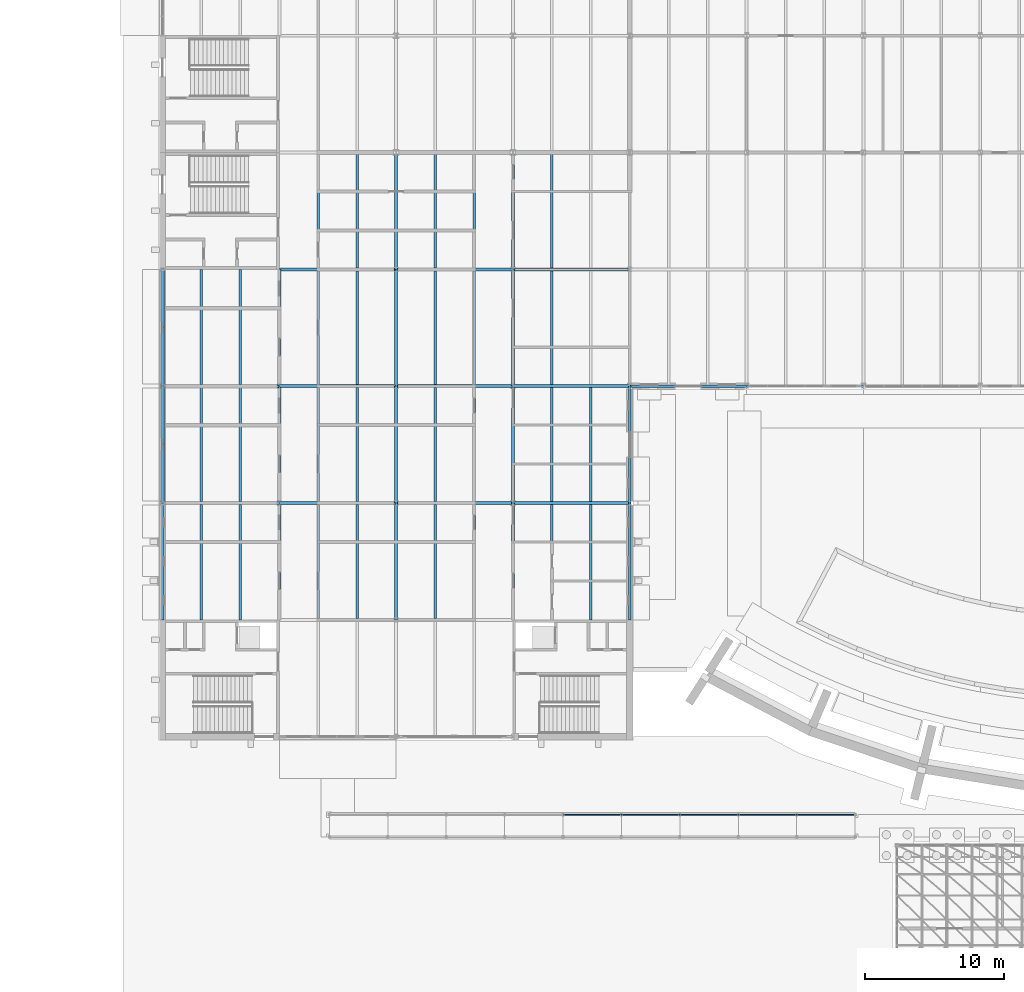
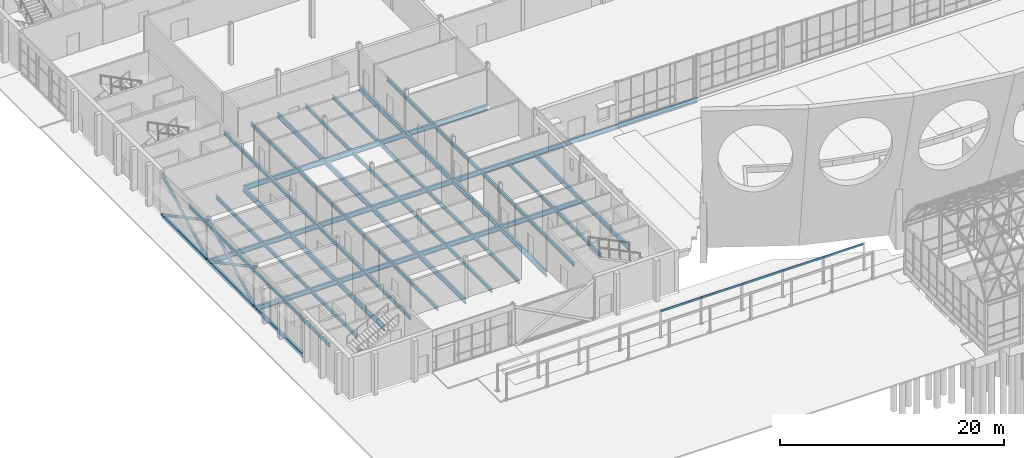
# One storey, part 28 of 116: 62 beams, 6 members.
"""IFC4 building model written with IfcOpenShell, lengths in metres."""

from ifc_helpers import new_model, si_unit, direction, frame, origin, origin_2d, place, context, subcontext, project, spatial, hollow_rectangle, hollow_circle, i_section, extrude, material, material_profile, profile_set, type_object, element, save


model = new_model("IFC4")

# Units and contexts
model_context = context("Model", 3, precision=1e-05, world=origin(), true_north=direction((0.0, 1.0)))
body_context = subcontext(model_context, "Body", "Model", "MODEL_VIEW")
ifc_project = project(units=[si_unit("LENGTHUNIT", "METRE"), si_unit("AREAUNIT", "SQUARE_METRE"), si_unit("VOLUMEUNIT", "CUBIC_METRE"), si_unit("PLANEANGLEUNIT", "RADIAN"), si_unit("MASSUNIT", "GRAM", prefix="KILO")], contexts=[model_context])

# Site, building, storey
site_placement = place(None, origin())
site = spatial("IfcSite", under=ifc_project, at=site_placement, CompositionType="ELEMENT")
building_placement = place(site_placement, origin())
building = spatial("IfcBuilding", under=site, at=building_placement, Name="Ardhachandra Cancer Care Centre", CompositionType="ELEMENT")
storey_placement = place(building_placement, origin())
storey = spatial("IfcBuildingStorey", under=building, at=storey_placement, Name="L00", CompositionType="ELEMENT", Elevation=0.0)

# Beams
ifc_material_1 = material(Name="Steel E350 (IS 2062)", Category="steel")
ifc_material_profile_1 = material_profile(ifc_material_1, i_section(OverallWidth=0.179931640625, OverallDepth=0.39990234375, WebThickness=0.008544921875, FlangeThickness=0.013427734375, FilletRadius=0.02099609375, at=origin_2d()), Name="NPB 400x180x66.30")
ifc_profile_set_1 = profile_set([ifc_material_profile_1], Name="Steel E350 (IS 2062)")
beam_type_1 = type_object("IfcBeamType", Name="Beam NPB 400x180x66.30", PredefinedType="BEAM", material=ifc_profile_set_1)
beam_1_placement = place(storey_placement, frame((13.60009765625, 37.800048828125, -0.35009765625), z_axis=(0.0, 1.0, 0.0), x_axis=(-1.0, 0.0, 0.0)))
element("IfcBeam", 1, at=beam_1_placement, inside=storey, type_object=beam_type_1, Name="Secondary D1-E1@2800", PredefinedType="BEAM", context=body_context, shape_type="SweptSolid", body=[
    extrude(i_section(OverallWidth=0.179931640625, OverallDepth=0.39990234375, WebThickness=0.008544921875, FlangeThickness=0.013427734375, FilletRadius=0.02099609375, at=origin_2d()), origin(), (0.0, 0.0, 1.0), 8.294921875),
])
beam_2_placement = place(storey_placement, frame((13.60009765625, 46.304931640625, -0.35009765625), z_axis=(0.0, 1.0, 0.0), x_axis=(-1.0, 0.0, 0.0)))
element("IfcBeam", 2, at=beam_2_placement, inside=storey, type_object=beam_type_1, Name="Secondary E1-F1@2800", PredefinedType="BEAM", context=body_context, shape_type="SweptSolid", body=[
    extrude(i_section(OverallWidth=0.179931640625, OverallDepth=0.39990234375, WebThickness=0.008544921875, FlangeThickness=0.013427734375, FilletRadius=0.02099609375, at=origin_2d()), origin(), (0.0, 0.0, 1.0), 8.190185546875),
])
for number, where, z_axis, x_axis, name in (
    (3, (13.60009765625, 54.705078125, -0.35009765625), (0.0, 1.0, 0.0), (-1.0, 0.0, 0.0), "Secondary F1-G1@2800"),
    (4, (16.39990234375, 37.800048828125, -0.35009765625), (0.0, 1.0, 0.0), (-1.0, 0.0, 0.0), "Secondary D1-E1@5600"),
):
    element("IfcBeam", number, at=place(storey_placement, frame(where, z_axis=z_axis, x_axis=x_axis)), inside=storey, type_object=beam_type_1, Name=name, PredefinedType="BEAM", context=body_context, shape_type="SweptSolid", body=[
        extrude(i_section(OverallWidth=0.179931640625, OverallDepth=0.39990234375, WebThickness=0.008544921875, FlangeThickness=0.013427734375, FilletRadius=0.02099609375, at=origin_2d()), origin(), (0.0, 0.0, 1.0), 8.294921875),
    ])
beam_3_placement = place(storey_placement, frame((16.39990234375, 46.304931640625, -0.35009765625), z_axis=(0.0, 1.0, 0.0), x_axis=(-1.0, 0.0, 0.0)))
element("IfcBeam", 5, at=beam_3_placement, inside=storey, type_object=beam_type_1, Name="Secondary E1-F1@5600", PredefinedType="BEAM", context=body_context, shape_type="SweptSolid", body=[
    extrude(i_section(OverallWidth=0.179931640625, OverallDepth=0.39990234375, WebThickness=0.008544921875, FlangeThickness=0.013427734375, FilletRadius=0.02099609375, at=origin_2d()), origin(), (0.0, 0.0, 1.0), 8.190185546875),
])
beam_4_placement = place(storey_placement, frame((16.39990234375, 54.705078125, -0.35009765625), z_axis=(0.0, 1.0, 0.0), x_axis=(-1.0, 0.0, 0.0)))
element("IfcBeam", 6, at=beam_4_placement, inside=storey, type_object=beam_type_1, Name="Secondary F1-G1@5600", PredefinedType="BEAM", context=body_context, shape_type="SweptSolid", body=[
    extrude(i_section(OverallWidth=0.179931640625, OverallDepth=0.39990234375, WebThickness=0.008544921875, FlangeThickness=0.013427734375, FilletRadius=0.02099609375, at=origin_2d()), origin(), (0.0, 0.0, 1.0), 8.294921875),
])
beam_5_placement = place(storey_placement, frame((22.0, 37.905029296875, -0.35009765625), z_axis=(0.0, 1.0, 0.0), x_axis=(-1.0, 0.0, 0.0)))
element("IfcBeam", 7, at=beam_5_placement, inside=storey, type_object=beam_type_1, Name="Secondary D2-E2@2800", PredefinedType="BEAM", context=body_context, shape_type="SweptSolid", body=[
    extrude(i_section(OverallWidth=0.179931640625, OverallDepth=0.39990234375, WebThickness=0.008544921875, FlangeThickness=0.013427734375, FilletRadius=0.02099609375, at=origin_2d()), origin(), (0.0, 0.0, 1.0), 8.18994140625),
])
beam_6_placement = place(storey_placement, frame((22.0, 46.304931640625, -0.35009765625), z_axis=(0.0, 1.0, 0.0), x_axis=(-1.0, 0.0, 0.0)))
element("IfcBeam", 8, at=beam_6_placement, inside=storey, type_object=beam_type_1, Name="Secondary E2-F2@2800", PredefinedType="BEAM", context=body_context, shape_type="SweptSolid", body=[
    extrude(i_section(OverallWidth=0.179931640625, OverallDepth=0.39990234375, WebThickness=0.008544921875, FlangeThickness=0.013427734375, FilletRadius=0.02099609375, at=origin_2d()), origin(), (0.0, 0.0, 1.0), 8.190185546875),
])
beam_7_placement = place(storey_placement, frame((22.0, 54.705078125, -0.35009765625), z_axis=(0.0, 1.0, 0.0), x_axis=(-1.0, 0.0, 0.0)))
element("IfcBeam", 9, at=beam_7_placement, inside=storey, type_object=beam_type_1, Name="Secondary F2-G2@2800", PredefinedType="BEAM", context=body_context, shape_type="SweptSolid", body=[
    extrude(i_section(OverallWidth=0.179931640625, OverallDepth=0.39990234375, WebThickness=0.008544921875, FlangeThickness=0.013427734375, FilletRadius=0.02099609375, at=origin_2d()), origin(), (0.0, 0.0, 1.0), 8.18994140625),
])
beam_8_placement = place(storey_placement, frame((22.0, 63.10498046875, -0.35009765625), z_axis=(0.0, 1.0, 0.0), x_axis=(-1.0, 0.0, 0.0)))
element("IfcBeam", 10, at=beam_8_placement, inside=storey, type_object=beam_type_1, Name="Secondary G2-H2@2800", PredefinedType="BEAM", context=body_context, shape_type="SweptSolid", body=[
    extrude(i_section(OverallWidth=0.179931640625, OverallDepth=0.39990234375, WebThickness=0.008544921875, FlangeThickness=0.013427734375, FilletRadius=0.02099609375, at=origin_2d()), origin(), (0.0, 0.0, 1.0), 8.195068359375),
])
beam_9_placement = place(storey_placement, frame((24.800048828125, 37.905029296875, -0.35009765625), z_axis=(0.0, 1.0, 0.0), x_axis=(-1.0, 0.0, 0.0)))
element("IfcBeam", 11, at=beam_9_placement, inside=storey, type_object=beam_type_1, Name="Secondary D2-E2@5600", PredefinedType="BEAM", context=body_context, shape_type="SweptSolid", body=[
    extrude(i_section(OverallWidth=0.179931640625, OverallDepth=0.39990234375, WebThickness=0.008544921875, FlangeThickness=0.013427734375, FilletRadius=0.02099609375, at=origin_2d()), origin(), (0.0, 0.0, 1.0), 8.18994140625),
])
beam_10_placement = place(storey_placement, frame((24.800048828125, 46.304931640625, -0.35009765625), z_axis=(0.0, 1.0, 0.0), x_axis=(-1.0, 0.0, 0.0)))
element("IfcBeam", 12, at=beam_10_placement, inside=storey, type_object=beam_type_1, Name="Secondary E2-F2@5600", PredefinedType="BEAM", context=body_context, shape_type="SweptSolid", body=[
    extrude(i_section(OverallWidth=0.179931640625, OverallDepth=0.39990234375, WebThickness=0.008544921875, FlangeThickness=0.013427734375, FilletRadius=0.02099609375, at=origin_2d()), origin(), (0.0, 0.0, 1.0), 8.190185546875),
])
beam_11_placement = place(storey_placement, frame((24.800048828125, 54.705078125, -0.35009765625), z_axis=(0.0, 1.0, 0.0), x_axis=(-1.0, 0.0, 0.0)))
element("IfcBeam", 13, at=beam_11_placement, inside=storey, type_object=beam_type_1, Name="Secondary F2-G2@5600", PredefinedType="BEAM", context=body_context, shape_type="SweptSolid", body=[
    extrude(i_section(OverallWidth=0.179931640625, OverallDepth=0.39990234375, WebThickness=0.008544921875, FlangeThickness=0.013427734375, FilletRadius=0.02099609375, at=origin_2d()), origin(), (0.0, 0.0, 1.0), 8.18994140625),
])
beam_12_placement = place(storey_placement, frame((24.800048828125, 63.10498046875, -0.35009765625), z_axis=(0.0, 1.0, 0.0), x_axis=(-1.0, 0.0, 0.0)))
element("IfcBeam", 14, at=beam_12_placement, inside=storey, type_object=beam_type_1, Name="Secondary G2-H2@5600", PredefinedType="BEAM", context=body_context, shape_type="SweptSolid", body=[
    extrude(i_section(OverallWidth=0.179931640625, OverallDepth=0.39990234375, WebThickness=0.008544921875, FlangeThickness=0.013427734375, FilletRadius=0.02099609375, at=origin_2d()), origin(), (0.0, 0.0, 1.0), 8.195068359375),
])
beam_13_placement = place(storey_placement, frame((30.39990234375, 37.905029296875, -0.35009765625), z_axis=(0.0, 1.0, 0.0), x_axis=(-1.0, 0.0, 0.0)))
element("IfcBeam", 15, at=beam_13_placement, inside=storey, type_object=beam_type_1, Name="Secondary D3-E3@2800", PredefinedType="BEAM", context=body_context, shape_type="SweptSolid", body=[
    extrude(i_section(OverallWidth=0.179931640625, OverallDepth=0.39990234375, WebThickness=0.008544921875, FlangeThickness=0.013427734375, FilletRadius=0.02099609375, at=origin_2d()), origin(), (0.0, 0.0, 1.0), 8.18994140625),
])
beam_14_placement = place(storey_placement, frame((30.39990234375, 46.304931640625, -0.35009765625), z_axis=(0.0, 1.0, 0.0), x_axis=(-1.0, 0.0, 0.0)))
element("IfcBeam", 16, at=beam_14_placement, inside=storey, type_object=beam_type_1, Name="Secondary E3-F3@2800", PredefinedType="BEAM", context=body_context, shape_type="SweptSolid", body=[
    extrude(i_section(OverallWidth=0.179931640625, OverallDepth=0.39990234375, WebThickness=0.008544921875, FlangeThickness=0.013427734375, FilletRadius=0.02099609375, at=origin_2d()), origin(), (0.0, 0.0, 1.0), 8.190185546875),
])
beam_15_placement = place(storey_placement, frame((30.39990234375, 54.705078125, -0.35009765625), z_axis=(0.0, 1.0, 0.0), x_axis=(-1.0, 0.0, 0.0)))
element("IfcBeam", 17, at=beam_15_placement, inside=storey, type_object=beam_type_1, Name="Secondary F3-G3@2800", PredefinedType="BEAM", context=body_context, shape_type="SweptSolid", body=[
    extrude(i_section(OverallWidth=0.179931640625, OverallDepth=0.39990234375, WebThickness=0.008544921875, FlangeThickness=0.013427734375, FilletRadius=0.02099609375, at=origin_2d()), origin(), (0.0, 0.0, 1.0), 8.18994140625),
])
beam_16_placement = place(storey_placement, frame((30.39990234375, 63.10498046875, -0.35009765625), z_axis=(0.0, 1.0, 0.0), x_axis=(-1.0, 0.0, 0.0)))
element("IfcBeam", 18, at=beam_16_placement, inside=storey, type_object=beam_type_1, Name="Secondary G3-H3@2800", PredefinedType="BEAM", context=body_context, shape_type="SweptSolid", body=[
    extrude(i_section(OverallWidth=0.179931640625, OverallDepth=0.39990234375, WebThickness=0.008544921875, FlangeThickness=0.013427734375, FilletRadius=0.02099609375, at=origin_2d()), origin(), (0.0, 0.0, 1.0), 8.195068359375),
])
beam_17_placement = place(storey_placement, frame((33.199951171875, 37.905029296875, -0.35009765625), z_axis=(0.0, 1.0, 0.0), x_axis=(-1.0, 0.0, 0.0)))
element("IfcBeam", 19, at=beam_17_placement, inside=storey, type_object=beam_type_1, Name="Secondary D3-E3@5600", PredefinedType="BEAM", context=body_context, shape_type="SweptSolid", body=[
    extrude(i_section(OverallWidth=0.179931640625, OverallDepth=0.39990234375, WebThickness=0.008544921875, FlangeThickness=0.013427734375, FilletRadius=0.02099609375, at=origin_2d()), origin(), (0.0, 0.0, 1.0), 8.18994140625),
])
beam_18_placement = place(storey_placement, frame((33.199951171875, 46.304931640625, -0.35009765625), z_axis=(0.0, 1.0, 0.0), x_axis=(-1.0, 0.0, 0.0)))
element("IfcBeam", 20, at=beam_18_placement, inside=storey, type_object=beam_type_1, Name="Secondary E3-F3@5600", PredefinedType="BEAM", context=body_context, shape_type="SweptSolid", body=[
    extrude(i_section(OverallWidth=0.179931640625, OverallDepth=0.39990234375, WebThickness=0.008544921875, FlangeThickness=0.013427734375, FilletRadius=0.02099609375, at=origin_2d()), origin(), (0.0, 0.0, 1.0), 8.190185546875),
])
beam_19_placement = place(storey_placement, frame((33.199951171875, 54.705078125, -0.35009765625), z_axis=(0.0, 1.0, 0.0), x_axis=(-1.0, 0.0, 0.0)))
element("IfcBeam", 21, at=beam_19_placement, inside=storey, type_object=beam_type_1, Name="Secondary F3-G3@5600", PredefinedType="BEAM", context=body_context, shape_type="SweptSolid", body=[
    extrude(i_section(OverallWidth=0.179931640625, OverallDepth=0.39990234375, WebThickness=0.008544921875, FlangeThickness=0.013427734375, FilletRadius=0.02099609375, at=origin_2d()), origin(), (0.0, 0.0, 1.0), 8.18994140625),
])
beam_20_placement = place(storey_placement, frame((33.199951171875, 63.10498046875, -0.35009765625), z_axis=(0.0, 1.0, 0.0), x_axis=(-1.0, 0.0, 0.0)))
element("IfcBeam", 22, at=beam_20_placement, inside=storey, type_object=beam_type_1, Name="Secondary G3-H3@5600", PredefinedType="BEAM", context=body_context, shape_type="SweptSolid", body=[
    extrude(i_section(OverallWidth=0.179931640625, OverallDepth=0.39990234375, WebThickness=0.008544921875, FlangeThickness=0.013427734375, FilletRadius=0.02099609375, at=origin_2d()), origin(), (0.0, 0.0, 1.0), 8.195068359375),
])
beam_21_placement = place(storey_placement, frame((38.800048828125, 37.800048828125, -0.35009765625), z_axis=(0.0, 1.0, 0.0), x_axis=(-1.0, 0.0, 0.0)))
element("IfcBeam", 23, at=beam_21_placement, inside=storey, type_object=beam_type_1, Name="Secondary D4-E4@2800", PredefinedType="BEAM", context=body_context, shape_type="SweptSolid", body=[
    extrude(i_section(OverallWidth=0.179931640625, OverallDepth=0.39990234375, WebThickness=0.008544921875, FlangeThickness=0.013427734375, FilletRadius=0.02099609375, at=origin_2d()), origin(), (0.0, 0.0, 1.0), 8.294921875),
])
beam_22_placement = place(storey_placement, frame((38.800048828125, 46.304931640625, -0.35009765625), z_axis=(0.0, 1.0, 0.0), x_axis=(-1.0, 0.0, 0.0)))
element("IfcBeam", 24, at=beam_22_placement, inside=storey, type_object=beam_type_1, Name="Secondary E4-F4@2800", PredefinedType="BEAM", context=body_context, shape_type="SweptSolid", body=[
    extrude(i_section(OverallWidth=0.179931640625, OverallDepth=0.39990234375, WebThickness=0.008544921875, FlangeThickness=0.013427734375, FilletRadius=0.02099609375, at=origin_2d()), origin(), (0.0, 0.0, 1.0), 8.190185546875),
])
beam_23_placement = place(storey_placement, frame((38.800048828125, 54.705078125, -0.35009765625), z_axis=(0.0, 1.0, 0.0), x_axis=(-1.0, 0.0, 0.0)))
element("IfcBeam", 25, at=beam_23_placement, inside=storey, type_object=beam_type_1, Name="Secondary F4-G4@2800", PredefinedType="BEAM", context=body_context, shape_type="SweptSolid", body=[
    extrude(i_section(OverallWidth=0.179931640625, OverallDepth=0.39990234375, WebThickness=0.008544921875, FlangeThickness=0.013427734375, FilletRadius=0.02099609375, at=origin_2d()), origin(), (0.0, 0.0, 1.0), 8.18994140625),
])
beam_24_placement = place(storey_placement, frame((38.800048828125, 63.10498046875, -0.35009765625), z_axis=(0.0, 1.0, 0.0), x_axis=(-1.0, 0.0, 0.0)))
element("IfcBeam", 26, at=beam_24_placement, inside=storey, type_object=beam_type_1, Name="Secondary G4-H4@2800", PredefinedType="BEAM", context=body_context, shape_type="SweptSolid", body=[
    extrude(i_section(OverallWidth=0.179931640625, OverallDepth=0.39990234375, WebThickness=0.008544921875, FlangeThickness=0.013427734375, FilletRadius=0.02099609375, at=origin_2d()), origin(), (0.0, 0.0, 1.0), 8.195068359375),
])
beam_25_placement = place(storey_placement, frame((41.60009765625, 37.800048828125, -0.35009765625), z_axis=(0.0, 1.0, 0.0), x_axis=(-1.0, 0.0, 0.0)))
element("IfcBeam", 27, at=beam_25_placement, inside=storey, type_object=beam_type_1, Name="Secondary D4-E4@5600", PredefinedType="BEAM", context=body_context, shape_type="SweptSolid", body=[
    extrude(i_section(OverallWidth=0.179931640625, OverallDepth=0.39990234375, WebThickness=0.008544921875, FlangeThickness=0.013427734375, FilletRadius=0.02099609375, at=origin_2d()), origin(), (0.0, 0.0, 1.0), 8.294921875),
])
beam_26_placement = place(storey_placement, frame((41.60009765625, 46.304931640625, -0.35009765625), z_axis=(0.0, 1.0, 0.0), x_axis=(-1.0, 0.0, 0.0)))
element("IfcBeam", 28, at=beam_26_placement, inside=storey, type_object=beam_type_1, Name="Secondary E4-F4@5600", PredefinedType="BEAM", context=body_context, shape_type="SweptSolid", body=[
    extrude(i_section(OverallWidth=0.179931640625, OverallDepth=0.39990234375, WebThickness=0.008544921875, FlangeThickness=0.013427734375, FilletRadius=0.02099609375, at=origin_2d()), origin(), (0.0, 0.0, 1.0), 8.190185546875),
])
ifc_material_2 = material(Name="Steel E350 (IS 2062)", Category="steel")
ifc_material_profile_2 = material_profile(ifc_material_2, i_section(OverallWidth=0.199951171875, OverallDepth=0.5, WebThickness=0.01025390625, FlangeThickness=0.01611328125, FilletRadius=0.02099609375, at=origin_2d()), Name="NPB 500x200x90.68")
ifc_profile_set_2 = profile_set([ifc_material_profile_2], Name="Steel E350 (IS 2062)")
beam_type_2 = type_object("IfcBeamType", Name="Beam NPB 500x200x90.68", PredefinedType="BEAM", material=ifc_profile_set_2)
beam_27_placement = place(storey_placement, frame((44.39990234375, 54.60009765625, -0.39990234375), z_axis=(1.0, 0.0, 0.0), x_axis=(0.0, 1.0, 0.0)))
element("IfcBeam", 29, at=beam_27_placement, inside=storey, type_object=beam_type_2, Name="Edge girder F5-F6", PredefinedType="BEAM", context=body_context, shape_type="SweptSolid", body=[
    extrude(i_section(OverallWidth=0.199951171875, OverallDepth=0.5, WebThickness=0.01025390625, FlangeThickness=0.01611328125, FilletRadius=0.02099609375, at=origin_2d()), origin(), (0.0, 0.0, 1.0), 8.400146484375),
])
for number, where, z_axis, x_axis, name in (
    (30, (52.800048828125, 54.60009765625, -0.39990234375), (1.0, 0.0, 0.0), (0.0, 1.0, 0.0), "Edge girder F6-F7"),
    (31, (10.800048828125, 37.800048828125, -0.39990234375), (0.0, 1.0, 0.0), (-1.0, 0.0, 0.0), "Edge girder D1-E1"),
):
    element("IfcBeam", number, at=place(storey_placement, frame(where, z_axis=z_axis, x_axis=x_axis)), inside=storey, type_object=beam_type_2, Name=name, PredefinedType="BEAM", context=body_context, shape_type="SweptSolid", body=[
        extrude(i_section(OverallWidth=0.199951171875, OverallDepth=0.5, WebThickness=0.01025390625, FlangeThickness=0.01611328125, FilletRadius=0.02099609375, at=origin_2d()), origin(), (0.0, 0.0, 1.0), 8.39990234375),
    ])
beam_28_placement = place(storey_placement, frame((10.800048828125, 46.199951171875, -0.39990234375), z_axis=(0.0, 1.0, 0.0), x_axis=(-1.0, 0.0, 0.0)))
element("IfcBeam", 32, at=beam_28_placement, inside=storey, type_object=beam_type_2, Name="Edge girder E1-F1", PredefinedType="BEAM", context=body_context, shape_type="SweptSolid", body=[
    extrude(i_section(OverallWidth=0.199951171875, OverallDepth=0.5, WebThickness=0.01025390625, FlangeThickness=0.01611328125, FilletRadius=0.02099609375, at=origin_2d()), origin(), (0.0, 0.0, 1.0), 8.400146484375),
])
for number, where, z_axis, x_axis, name in (
    (33, (10.800048828125, 54.60009765625, -0.39990234375), (0.0, 1.0, 0.0), (-1.0, 0.0, 0.0), "Edge girder F1-G1"),
    (34, (44.39990234375, 37.800048828125, -0.39990234375), (0.0, 1.0, 0.0), (-1.0, 0.0, 0.0), "Edge girder D5-E5"),
):
    element("IfcBeam", number, at=place(storey_placement, frame(where, z_axis=z_axis, x_axis=x_axis)), inside=storey, type_object=beam_type_2, Name=name, PredefinedType="BEAM", context=body_context, shape_type="SweptSolid", body=[
        extrude(i_section(OverallWidth=0.199951171875, OverallDepth=0.5, WebThickness=0.01025390625, FlangeThickness=0.01611328125, FilletRadius=0.02099609375, at=origin_2d()), origin(), (0.0, 0.0, 1.0), 8.39990234375),
    ])
beam_29_placement = place(storey_placement, frame((44.39990234375, 46.199951171875, -0.39990234375), z_axis=(0.0, 1.0, 0.0), x_axis=(-1.0, 0.0, 0.0)))
element("IfcBeam", 35, at=beam_29_placement, inside=storey, type_object=beam_type_2, Name="Edge girder E5-F5", PredefinedType="BEAM", context=body_context, shape_type="SweptSolid", body=[
    extrude(i_section(OverallWidth=0.199951171875, OverallDepth=0.5, WebThickness=0.01025390625, FlangeThickness=0.01611328125, FilletRadius=0.02099609375, at=origin_2d()), origin(), (0.0, 0.0, 1.0), 8.400146484375),
])
ifc_material_3 = material(Name="Steel E350 (IS 2062)", Category="steel")
ifc_material_profile_3 = material_profile(ifc_material_3, i_section(OverallWidth=0.2099609375, OverallDepth=0.550048828125, WebThickness=0.010986328125, FlangeThickness=0.01708984375, FilletRadius=0.02392578125, at=origin_2d()), Name="NPB 550x210x105.52")
ifc_profile_set_3 = profile_set([ifc_material_profile_3], Name="Steel E350 (IS 2062)")
beam_type_3 = type_object("IfcBeamType", Name="Beam NPB 550x210x105.52", PredefinedType="BEAM", material=ifc_profile_set_3)
beam_30_placement = place(storey_placement, frame((10.800048828125, 46.199951171875, -0.425048828125), z_axis=(1.0, 0.0, 0.0), x_axis=(0.0, 1.0, 0.0)))
element("IfcBeam", 36, at=beam_30_placement, inside=storey, type_object=beam_type_3, Name="Girder E1-E2", PredefinedType="BEAM", context=body_context, shape_type="SweptSolid", body=[
    extrude(i_section(OverallWidth=0.2099609375, OverallDepth=0.550048828125, WebThickness=0.010986328125, FlangeThickness=0.01708984375, FilletRadius=0.02392578125, at=origin_2d()), origin(), (0.0, 0.0, 1.0), 8.39990234375),
])
beam_31_placement = place(storey_placement, frame((19.199951171875, 46.199951171875, -0.425048828125), z_axis=(1.0, 0.0, 0.0), x_axis=(0.0, 1.0, 0.0)))
element("IfcBeam", 37, at=beam_31_placement, inside=storey, type_object=beam_type_3, Name="Girder E2-E3", PredefinedType="BEAM", context=body_context, shape_type="SweptSolid", body=[
    extrude(i_section(OverallWidth=0.2099609375, OverallDepth=0.550048828125, WebThickness=0.010986328125, FlangeThickness=0.01708984375, FilletRadius=0.02392578125, at=origin_2d()), origin(), (0.0, 0.0, 1.0), 8.400146484375),
])
for number, where, z_axis, x_axis, name in (
    (38, (27.60009765625, 46.199951171875, -0.425048828125), (1.0, 0.0, 0.0), (0.0, 1.0, 0.0), "Girder E3-E4"),
    (39, (36.0, 46.199951171875, -0.425048828125), (1.0, 0.0, 0.0), (0.0, 1.0, 0.0), "Girder E4-E5"),
    (40, (10.800048828125, 54.60009765625, -0.425048828125), (1.0, 0.0, 0.0), (0.0, 1.0, 0.0), "Girder F1-F2"),
):
    element("IfcBeam", number, at=place(storey_placement, frame(where, z_axis=z_axis, x_axis=x_axis)), inside=storey, type_object=beam_type_3, Name=name, PredefinedType="BEAM", context=body_context, shape_type="SweptSolid", body=[
        extrude(i_section(OverallWidth=0.2099609375, OverallDepth=0.550048828125, WebThickness=0.010986328125, FlangeThickness=0.01708984375, FilletRadius=0.02392578125, at=origin_2d()), origin(), (0.0, 0.0, 1.0), 8.39990234375),
    ])
beam_32_placement = place(storey_placement, frame((19.199951171875, 54.60009765625, -0.425048828125), z_axis=(1.0, 0.0, 0.0), x_axis=(0.0, 1.0, 0.0)))
element("IfcBeam", 41, at=beam_32_placement, inside=storey, type_object=beam_type_3, Name="Girder F2-F3", PredefinedType="BEAM", context=body_context, shape_type="SweptSolid", body=[
    extrude(i_section(OverallWidth=0.2099609375, OverallDepth=0.550048828125, WebThickness=0.010986328125, FlangeThickness=0.01708984375, FilletRadius=0.02392578125, at=origin_2d()), origin(), (0.0, 0.0, 1.0), 8.400146484375),
])
for number, where, z_axis, x_axis, name in (
    (42, (27.60009765625, 54.60009765625, -0.425048828125), (1.0, 0.0, 0.0), (0.0, 1.0, 0.0), "Girder F3-F4"),
    (43, (36.0, 54.60009765625, -0.425048828125), (1.0, 0.0, 0.0), (0.0, 1.0, 0.0), "Girder F4-F5"),
):
    element("IfcBeam", number, at=place(storey_placement, frame(where, z_axis=z_axis, x_axis=x_axis)), inside=storey, type_object=beam_type_3, Name=name, PredefinedType="BEAM", context=body_context, shape_type="SweptSolid", body=[
        extrude(i_section(OverallWidth=0.2099609375, OverallDepth=0.550048828125, WebThickness=0.010986328125, FlangeThickness=0.01708984375, FilletRadius=0.02392578125, at=origin_2d()), origin(), (0.0, 0.0, 1.0), 8.39990234375),
    ])
beam_33_placement = place(storey_placement, frame((19.199951171875, 63.0, -0.425048828125), z_axis=(1.0, 0.0, 0.0), x_axis=(0.0, 1.0, 0.0)))
element("IfcBeam", 44, at=beam_33_placement, inside=storey, type_object=beam_type_3, Name="Girder G2-G3", PredefinedType="BEAM", context=body_context, shape_type="SweptSolid", body=[
    extrude(i_section(OverallWidth=0.2099609375, OverallDepth=0.550048828125, WebThickness=0.010986328125, FlangeThickness=0.01708984375, FilletRadius=0.02392578125, at=origin_2d()), origin(), (0.0, 0.0, 1.0), 8.400146484375),
])
for number, where, z_axis, x_axis, name in (
    (45, (27.60009765625, 63.0, -0.425048828125), (1.0, 0.0, 0.0), (0.0, 1.0, 0.0), "Girder G3-G4"),
    (46, (36.0, 63.0, -0.425048828125), (1.0, 0.0, 0.0), (0.0, 1.0, 0.0), "Girder G4-G5"),
    (47, (19.199951171875, 37.800048828125, -0.425048828125), (0.0, 1.0, 0.0), (-1.0, 0.0, 0.0), "Girder D2-E2"),
):
    element("IfcBeam", number, at=place(storey_placement, frame(where, z_axis=z_axis, x_axis=x_axis)), inside=storey, type_object=beam_type_3, Name=name, PredefinedType="BEAM", context=body_context, shape_type="SweptSolid", body=[
        extrude(i_section(OverallWidth=0.2099609375, OverallDepth=0.550048828125, WebThickness=0.010986328125, FlangeThickness=0.01708984375, FilletRadius=0.02392578125, at=origin_2d()), origin(), (0.0, 0.0, 1.0), 8.39990234375),
    ])
beam_34_placement = place(storey_placement, frame((19.199951171875, 46.199951171875, -0.425048828125), z_axis=(0.0, 1.0, 0.0), x_axis=(-1.0, 0.0, 0.0)))
element("IfcBeam", 48, at=beam_34_placement, inside=storey, type_object=beam_type_3, Name="Girder E2-F2", PredefinedType="BEAM", context=body_context, shape_type="SweptSolid", body=[
    extrude(i_section(OverallWidth=0.2099609375, OverallDepth=0.550048828125, WebThickness=0.010986328125, FlangeThickness=0.01708984375, FilletRadius=0.02392578125, at=origin_2d()), origin(), (0.0, 0.0, 1.0), 8.400146484375),
])
for number, where, z_axis, x_axis, name in (
    (49, (19.199951171875, 54.60009765625, -0.425048828125), (0.0, 1.0, 0.0), (-1.0, 0.0, 0.0), "Girder F2-G2"),
    (50, (27.60009765625, 37.800048828125, -0.425048828125), (0.0, 1.0, 0.0), (-1.0, 0.0, 0.0), "Girder D3-E3"),
):
    element("IfcBeam", number, at=place(storey_placement, frame(where, z_axis=z_axis, x_axis=x_axis)), inside=storey, type_object=beam_type_3, Name=name, PredefinedType="BEAM", context=body_context, shape_type="SweptSolid", body=[
        extrude(i_section(OverallWidth=0.2099609375, OverallDepth=0.550048828125, WebThickness=0.010986328125, FlangeThickness=0.01708984375, FilletRadius=0.02392578125, at=origin_2d()), origin(), (0.0, 0.0, 1.0), 8.39990234375),
    ])
beam_35_placement = place(storey_placement, frame((27.60009765625, 46.199951171875, -0.425048828125), z_axis=(0.0, 1.0, 0.0), x_axis=(-1.0, 0.0, 0.0)))
element("IfcBeam", 51, at=beam_35_placement, inside=storey, type_object=beam_type_3, Name="Girder E3-F3", PredefinedType="BEAM", context=body_context, shape_type="SweptSolid", body=[
    extrude(i_section(OverallWidth=0.2099609375, OverallDepth=0.550048828125, WebThickness=0.010986328125, FlangeThickness=0.01708984375, FilletRadius=0.02392578125, at=origin_2d()), origin(), (0.0, 0.0, 1.0), 8.400146484375),
])
for number, where, z_axis, x_axis, name in (
    (52, (27.60009765625, 54.60009765625, -0.425048828125), (0.0, 1.0, 0.0), (-1.0, 0.0, 0.0), "Girder F3-G3"),
    (53, (27.60009765625, 63.0, -0.425048828125), (0.0, 1.0, 0.0), (-1.0, 0.0, 0.0), "Girder G3-H3"),
    (54, (36.0, 37.800048828125, -0.425048828125), (0.0, 1.0, 0.0), (-1.0, 0.0, 0.0), "Girder D4-E4"),
):
    element("IfcBeam", number, at=place(storey_placement, frame(where, z_axis=z_axis, x_axis=x_axis)), inside=storey, type_object=beam_type_3, Name=name, PredefinedType="BEAM", context=body_context, shape_type="SweptSolid", body=[
        extrude(i_section(OverallWidth=0.2099609375, OverallDepth=0.550048828125, WebThickness=0.010986328125, FlangeThickness=0.01708984375, FilletRadius=0.02392578125, at=origin_2d()), origin(), (0.0, 0.0, 1.0), 8.39990234375),
    ])
beam_36_placement = place(storey_placement, frame((36.0, 46.199951171875, -0.425048828125), z_axis=(0.0, 1.0, 0.0), x_axis=(-1.0, 0.0, 0.0)))
element("IfcBeam", 55, at=beam_36_placement, inside=storey, type_object=beam_type_3, Name="Girder E4-F4", PredefinedType="BEAM", context=body_context, shape_type="SweptSolid", body=[
    extrude(i_section(OverallWidth=0.2099609375, OverallDepth=0.550048828125, WebThickness=0.010986328125, FlangeThickness=0.01708984375, FilletRadius=0.02392578125, at=origin_2d()), origin(), (0.0, 0.0, 1.0), 8.400146484375),
])
for number, where, z_axis, x_axis, name in (
    (56, (36.0, 54.60009765625, -0.425048828125), (0.0, 1.0, 0.0), (-1.0, 0.0, 0.0), "Girder F4-G4"),
    (57, (36.0, 63.0, -0.425048828125), (0.0, 1.0, 0.0), (-1.0, 0.0, 0.0), "Girder G4-H4"),
):
    element("IfcBeam", number, at=place(storey_placement, frame(where, z_axis=z_axis, x_axis=x_axis)), inside=storey, type_object=beam_type_3, Name=name, PredefinedType="BEAM", context=body_context, shape_type="SweptSolid", body=[
        extrude(i_section(OverallWidth=0.2099609375, OverallDepth=0.550048828125, WebThickness=0.010986328125, FlangeThickness=0.01708984375, FilletRadius=0.02392578125, at=origin_2d()), origin(), (0.0, 0.0, 1.0), 8.39990234375),
    ])

# Members
ifc_material_4 = material(Name="Steel E350 (IS 2062)", Category="steel")
ifc_material_profile_4 = material_profile(ifc_material_4, hollow_circle(Radius=0.136474609375, WallThickness=0.010009765625, at=origin_2d()), Name="CHS 273x10.0")
ifc_profile_set_4 = profile_set([ifc_material_profile_4], Name="Steel E350 (IS 2062)")
member_type = type_object("IfcMemberType", Name="Brace CHS 273x10.0", PredefinedType="BRACE", material=ifc_profile_set_4)
member_1_placement = place(storey_placement, frame((10.800048828125, 46.199951171875, -0.39990234375), z_axis=(0.0, 0.881483397762, 0.472215014025), x_axis=(-1.0, 0.0, 0.0)))
element("IfcMember", 58, at=member_1_placement, inside=storey, type_object=member_type, Name="Brace V2-Y108-462 L00 A", PredefinedType="BRACE", context=body_context, shape_type="SweptSolid", body=[
    extrude(hollow_circle(Radius=0.136474609375, WallThickness=0.010009765625, at=origin_2d()), origin(), (0.0, 0.0, 1.0), 9.529541015625),
])
member_2_placement = place(storey_placement, frame((10.800048828125, 54.60009765625, -0.39990234375), z_axis=(0.0, -0.881489110341, 0.472204350203), x_axis=(1.0, 0.0, 0.0)))
element("IfcMember", 59, at=member_2_placement, inside=storey, type_object=member_type, Name="Brace V2-Y108-462 L00 B1", PredefinedType="BRACE", context=body_context, shape_type="SweptSolid", body=[
    extrude(hollow_circle(Radius=0.136474609375, WallThickness=0.010009765625, at=origin_2d()), origin(), (0.0, 0.0, 1.0), 4.764892578125),
])
member_3_placement = place(storey_placement, frame((10.800048828125, 50.39990234375, 1.85009765625), z_axis=(0.0, -0.881477684796, 0.472225678258), x_axis=(1.0, 0.0, 0.0)))
element("IfcMember", 60, at=member_3_placement, inside=storey, type_object=member_type, Name="Brace V2-Y108-462 L00 B2", PredefinedType="BRACE", context=body_context, shape_type="SweptSolid", body=[
    extrude(hollow_circle(Radius=0.136474609375, WallThickness=0.010009765625, at=origin_2d()), origin(), (0.0, 0.0, 1.0), 4.7646484375),
])
member_4_placement = place(storey_placement, frame((10.800048828125, 54.60009765625, -0.39990234375), z_axis=(0.0, 0.881477684796, 0.472225678258), x_axis=(-1.0, 0.0, 0.0)))
element("IfcMember", 61, at=member_4_placement, inside=storey, type_object=member_type, Name="Brace V2-Y108-546 L00 A", PredefinedType="BRACE", context=body_context, shape_type="SweptSolid", body=[
    extrude(hollow_circle(Radius=0.136474609375, WallThickness=0.010009765625, at=origin_2d()), origin(), (0.0, 0.0, 1.0), 9.529296875),
])
for number, where, z_axis, x_axis, name in (
    (62, (10.800048828125, 63.0, -0.39990234375), (0.0, -0.881477684796, 0.472225678258), (1.0, 0.0, 0.0), "Brace V2-Y108-546 L00 B1"),
    (63, (10.800048828125, 58.800048828125, 1.85009765625), (0.0, -0.881477684796, 0.472225678258), (1.0, 0.0, 0.0), "Brace V2-Y108-546 L00 B2"),
):
    element("IfcMember", number, at=place(storey_placement, frame(where, z_axis=z_axis, x_axis=x_axis)), inside=storey, type_object=member_type, Name=name, PredefinedType="BRACE", context=body_context, shape_type="SweptSolid", body=[
        extrude(hollow_circle(Radius=0.136474609375, WallThickness=0.010009765625, at=origin_2d()), origin(), (0.0, 0.0, 1.0), 4.7646484375),
    ])

# Beams
ifc_material_5 = material(Name="Steel E350 (IS 2062)", Category="steel")
ifc_material_profile_5 = material_profile(ifc_material_5, hollow_rectangle(XDim=0.10009765625, YDim=0.199951171875, WallThickness=0.006103515625, InnerFilletRadius=0.006103515625, OuterFilletRadius=0.011962890625, at=origin_2d()), Name="RHS 200x100x6.0")
ifc_profile_set_5 = profile_set([ifc_material_profile_5], Name="Steel E350 (IS 2062)")
beam_type_4 = type_object("IfcBeamType", Name="Walk beam RHS 200x100x6.0", PredefinedType="BEAM", material=ifc_profile_set_5)
beam_37_placement = place(storey_placement, frame((56.39990234375, 23.800048828125, 2.780029296875), z_axis=(1.0, 0.0, 0.0), x_axis=(0.0, 1.0, 0.0)))
element("IfcBeam", 64, at=beam_37_placement, inside=storey, type_object=beam_type_4, Name="Walk beam N1", PredefinedType="BEAM", context=body_context, shape_type="SweptSolid", body=[
    extrude(hollow_rectangle(XDim=0.10009765625, YDim=0.199951171875, WallThickness=0.006103515625, InnerFilletRadius=0.006103515625, OuterFilletRadius=0.011962890625, at=origin_2d()), origin(), (0.0, 0.0, 1.0), 4.125),
])
for number, where, z_axis, x_axis, name in (
    (65, (52.199951171875, 23.800048828125, 2.780029296875), (1.0, 0.0, 0.0), (0.0, 1.0, 0.0), "Walk beam N2"),
    (66, (48.0, 23.800048828125, 2.780029296875), (1.0, 0.0, 0.0), (0.0, 1.0, 0.0), "Walk beam N3"),
    (67, (43.800048828125, 23.800048828125, 2.780029296875), (1.0, 0.0, 0.0), (0.0, 1.0, 0.0), "Walk beam N4"),
    (68, (39.60009765625, 23.800048828125, 2.780029296875), (1.0, 0.0, 0.0), (0.0, 1.0, 0.0), "Walk beam N5"),
):
    element("IfcBeam", number, at=place(storey_placement, frame(where, z_axis=z_axis, x_axis=x_axis)), inside=storey, type_object=beam_type_4, Name=name, PredefinedType="BEAM", context=body_context, shape_type="SweptSolid", body=[
        extrude(hollow_rectangle(XDim=0.10009765625, YDim=0.199951171875, WallThickness=0.006103515625, InnerFilletRadius=0.006103515625, OuterFilletRadius=0.011962890625, at=origin_2d()), origin(), (0.0, 0.0, 1.0), 4.199951171875),
    ])

save(model, "model.ifc")
